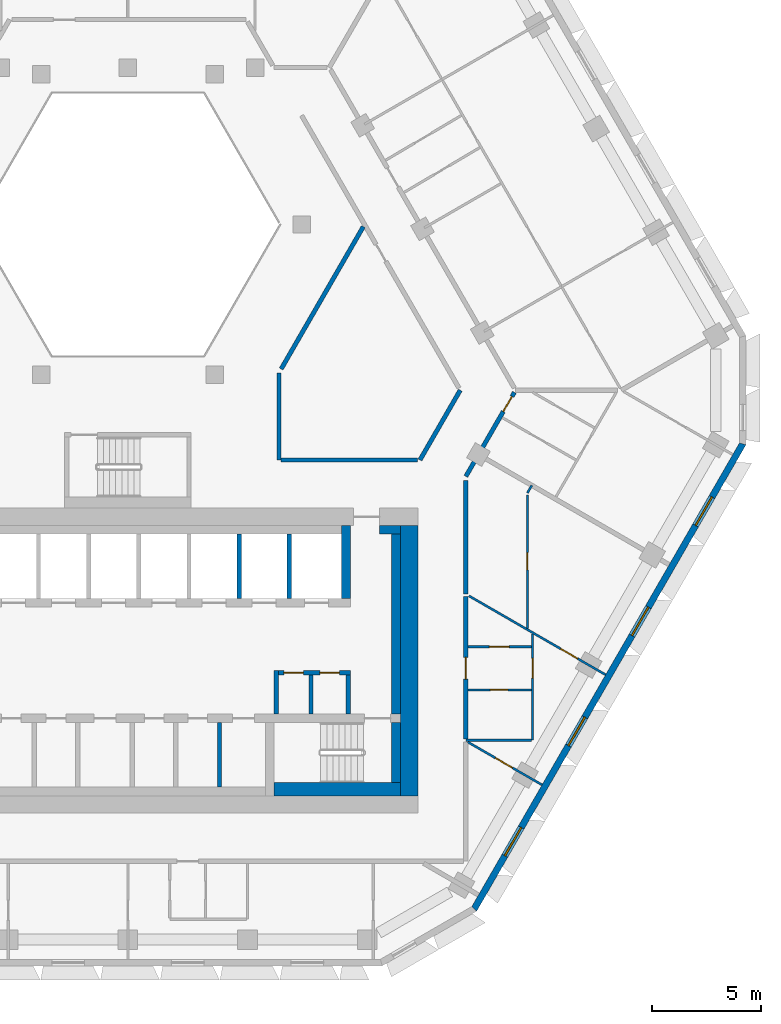
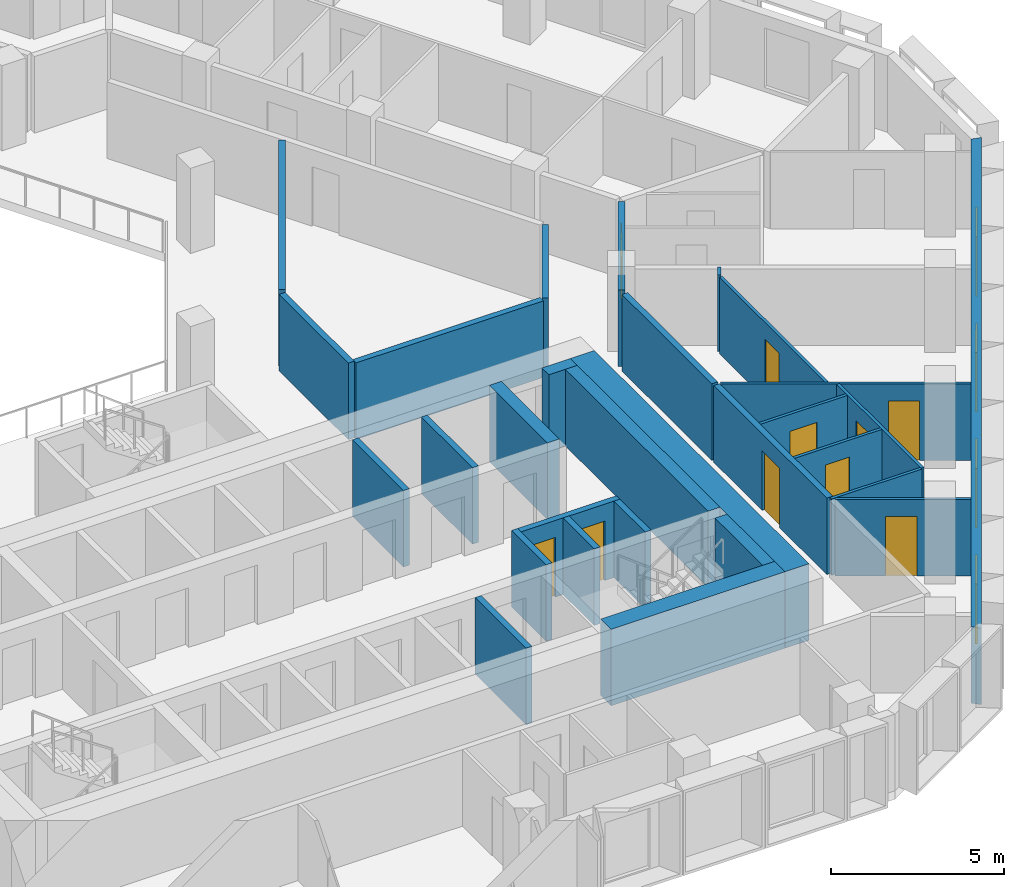
# One storey, part 6 of 15: 29 walls, 10 doors, 4 windows, 14 openings.
"""IFC4 building model written with IfcOpenShell, lengths in metres."""

from ifc_helpers import new_model, si_unit, direction, frame, frame_2d, origin, place, context, subcontext, project, spatial, polyline, rectangle, outline, extrude, material, layer, layer_set, type_object, element, fill, save


model = new_model("IFC4")

# Units and contexts
model_context = context("Model", 3, precision=1e-05, world=origin(), true_north=direction((0.0, 1.0)))
body_context = subcontext(model_context, "Body", "Model", "MODEL_VIEW")
ifc_project = project(units=[si_unit("LENGTHUNIT", "METRE"), si_unit("AREAUNIT", "SQUARE_METRE"), si_unit("VOLUMEUNIT", "CUBIC_METRE"), si_unit("PLANEANGLEUNIT", "RADIAN"), si_unit("MASSUNIT", "GRAM", prefix="KILO")], contexts=[model_context])

# Site, building, storey
site_placement = place(None, origin())
site = spatial("IfcSite", under=ifc_project, at=site_placement, CompositionType="ELEMENT")
building_placement = place(site_placement, origin())
building = spatial("IfcBuilding", under=site, at=building_placement, Name="Beryl Residences", CompositionType="ELEMENT")
storey_placement = place(building_placement, frame((0.0, 0.0, 135.60009765625)))
storey = spatial("IfcBuildingStorey", under=building, at=storey_placement, Name="L41", CompositionType="ELEMENT", Elevation=135.60009765625)

# Wall, openings, windows
ifc_material_1 = material(Name="Composite metal panel with mineral wool insulation")
ifc_layer_1 = layer(ifc_material_1, 0.300048828125)
ifc_layer_set_1 = layer_set([ifc_layer_1], Name="ES1 pale metal composite panel wall 300 mm")
wall_type_1 = type_object("IfcWallType", Name="ES1 pale metal composite panel wall 300 mm", PredefinedType="SOLIDWALL", material=ifc_layer_set_1)
wall_1_placement = place(storey_placement, frame((15.862060546875, -23.425048828125, 0.0), z_axis=(0.0, 0.0, 1.0), x_axis=(0.500017503135, 0.866015298109, 0.0)))
wall_1 = element("IfcWall", 1, at=wall_1_placement, inside=storey, type_object=wall_type_1, Name="ES1 external wall L41 SE", PredefinedType="SOLIDWALL", context=body_context, shape_type="SweptSolid", body=[
    extrude(outline(polyline([(0.0, -0.14990234375), (24.7109375, -0.14990234375), (24.630615234375, 0.14990234375), (0.080322265625, 0.14990234375), (0.0, -0.14990234375)])), origin(), (0.0, 0.0, 1.0), 2.699951171875),
])
opening_1_placement = place(wall_1_placement, frame((2.85693359375, 0.0, 0.14990234375)))
opening_1 = element("IfcOpeningElement", 2, at=opening_1_placement, cuts=wall_1, Name="Opening W1", PredefinedType="OPENING", context=body_context, shape_type="SweptSolid", body=[
    extrude(rectangle(XDim=1.5, YDim=2.10009765625, at=frame_2d((0.75, 1.050048828125))), frame((0.0, 0.159912109375, 0.0), z_axis=(0.0, -1.0, 0.0), x_axis=(1.0, 0.0, 0.0)), (0.0, 0.0, 1.0), 0.320068359375),
])
opening_2_placement = place(wall_1_placement, frame((8.68896484375, 0.0, 0.14990234375)))
opening_2 = element("IfcOpeningElement", 3, at=opening_2_placement, cuts=wall_1, Name="Opening W1", PredefinedType="OPENING", context=body_context, shape_type="SweptSolid", body=[
    extrude(rectangle(XDim=1.5, YDim=2.10009765625, at=frame_2d((0.75, 1.050048828125))), frame((0.0, 0.159912109375, 0.0), z_axis=(0.0, -1.0, 0.0), x_axis=(1.0, 0.0, 0.0)), (0.0, 0.0, 1.0), 0.320068359375),
])
opening_3_placement = place(wall_1_placement, frame((14.52001953125, 0.0, 0.14990234375)))
opening_3 = element("IfcOpeningElement", 4, at=opening_3_placement, cuts=wall_1, Name="Opening W1", PredefinedType="OPENING", context=body_context, shape_type="SweptSolid", body=[
    extrude(rectangle(XDim=1.5, YDim=2.10009765625, at=frame_2d((0.75, 1.050048828125))), frame((0.0, 0.159912109375, 0.0), z_axis=(0.0, -1.0, 0.0), x_axis=(1.0, 0.0, 0.0)), (0.0, 0.0, 1.0), 0.320068359375),
])
opening_4_placement = place(wall_1_placement, frame((20.35107421875, 0.0, 0.14990234375)))
opening_4 = element("IfcOpeningElement", 5, at=opening_4_placement, cuts=wall_1, Name="Opening W1", PredefinedType="OPENING", context=body_context, shape_type="SweptSolid", body=[
    extrude(rectangle(XDim=1.5, YDim=2.10009765625, at=frame_2d((0.75, 1.050048828125))), frame((0.0, 0.159912109375, 0.0), z_axis=(0.0, -1.0, 0.0), x_axis=(1.0, 0.0, 0.0)), (0.0, 0.0, 1.0), 0.320068359375),
])
ifc_material_2 = material(Name="Aluminium and clear glass", Category="aluminium")
window_type = type_object("IfcWindowType", Name="W1 cell window 1500 x 2100 mm", PartitioningType="SINGLE_PANEL", PredefinedType="WINDOW", material=ifc_material_2)
window_1_placement = place(opening_1_placement, origin())
window_1 = element("IfcWindow", 6, at=window_1_placement, inside=storey, type_object=window_type, Name="W1 window L41 SE 2", OverallHeight=2.10009765625, OverallWidth=1.5, PartitioningType="SINGLE_PANEL", PredefinedType="WINDOW", context=body_context, shape_type="SweptSolid", body=[
    extrude(rectangle(XDim=1.5, YDim=2.10009765625, at=frame_2d((0.75, 1.050048828125))), frame((0.0, 0.030029296875, 0.0), z_axis=(0.0, -1.0, 0.0), x_axis=(1.0, 0.0, 0.0)), (0.0, 0.0, 1.0), 0.06005859375),
])
fill(opening_1, window_1)
window_2_placement = place(opening_2_placement, origin())
window_2 = element("IfcWindow", 7, at=window_2_placement, inside=storey, type_object=window_type, Name="W1 window L41 SE 4", OverallHeight=2.10009765625, OverallWidth=1.5, PartitioningType="SINGLE_PANEL", PredefinedType="WINDOW", context=body_context, shape_type="SweptSolid", body=[
    extrude(rectangle(XDim=1.5, YDim=2.10009765625, at=frame_2d((0.75, 1.050048828125))), frame((0.0, 0.030029296875, 0.0), z_axis=(0.0, -1.0, 0.0), x_axis=(1.0, 0.0, 0.0)), (0.0, 0.0, 1.0), 0.06005859375),
])
fill(opening_2, window_2)
window_3_placement = place(opening_3_placement, origin())
window_3 = element("IfcWindow", 8, at=window_3_placement, inside=storey, type_object=window_type, Name="W1 window L41 SE 6", OverallHeight=2.10009765625, OverallWidth=1.5, PartitioningType="SINGLE_PANEL", PredefinedType="WINDOW", context=body_context, shape_type="SweptSolid", body=[
    extrude(rectangle(XDim=1.5, YDim=2.10009765625, at=frame_2d((0.75, 1.050048828125))), frame((0.0, 0.030029296875, 0.0), z_axis=(0.0, -1.0, 0.0), x_axis=(1.0, 0.0, 0.0)), (0.0, 0.0, 1.0), 0.06005859375),
])
fill(opening_3, window_3)
window_4_placement = place(opening_4_placement, origin())
window_4 = element("IfcWindow", 9, at=window_4_placement, inside=storey, type_object=window_type, Name="W1 window L41 SE 8", OverallHeight=2.10009765625, OverallWidth=1.5, PartitioningType="SINGLE_PANEL", PredefinedType="WINDOW", context=body_context, shape_type="SweptSolid", body=[
    extrude(rectangle(XDim=1.5, YDim=2.10009765625, at=frame_2d((0.75, 1.050048828125))), frame((0.0, 0.030029296875, 0.0), z_axis=(0.0, -1.0, 0.0), x_axis=(1.0, 0.0, 0.0)), (0.0, 0.0, 1.0), 0.06005859375),
])
fill(opening_4, window_4)

# Wall, opening, door
ifc_material_3 = material(Name="Gypsum board partition on steel studs", Category="steel")
ifc_layer_2 = layer(ifc_material_3, 0.10009765625)
ifc_layer_set_2 = layer_set([ifc_layer_2], Name="PT1 partition 100 mm gypsum board on steel studs")
wall_type_2 = type_object("IfcWallType", Name="PT1 partition 100 mm gypsum board on steel studs", PredefinedType="PARTITIONING", material=ifc_layer_set_2)
wall_2_placement = place(storey_placement, frame((18.324951171875, -4.408935546875, 0.0), z_axis=(0.0, 0.0, 1.0), x_axis=(0.0, -1.0, 0.0)))
wall_2 = element("IfcWall", 10, at=wall_2_placement, inside=storey, type_object=wall_type_2, Name="Wall PT1 L41 005", PredefinedType="PARTITIONING", context=body_context, shape_type="SweptSolid", body=[
    extrude(rectangle(XDim=6.114990234375, YDim=0.10009765625, at=frame_2d((3.0576171875, 0.0))), origin(), (0.0, 0.0, 1.0), 2.699951171875),
])
opening_5_placement = place(wall_2_placement, frame((2.635986328125, 0.0, 0.0)))
opening_5 = element("IfcOpeningElement", 11, at=opening_5_placement, cuts=wall_2, Name="Opening D1313", PredefinedType="OPENING", context=body_context, shape_type="SweptSolid", body=[
    extrude(rectangle(XDim=0.800048828125, YDim=2.10009765625, at=frame_2d((0.39990234375, 1.050048828125))), frame((0.0, 0.06005859375, 0.0), z_axis=(0.0, -1.0, 0.0), x_axis=(1.0, 0.0, 0.0)), (0.0, 0.0, 1.0), 0.1201171875),
])
ifc_material_4 = material(Name="Timber door leaf", Category="wood")
door_type_1 = type_object("IfcDoorType", Name="D3 bathroom door 800 x 2100 mm", OperationType="SINGLE_SWING_LEFT", PredefinedType="DOOR", material=ifc_material_4)
door_1_placement = place(opening_5_placement, origin())
door_1 = element("IfcDoor", 12, at=door_1_placement, inside=storey, type_object=door_type_1, Name="Door D1313 L41 001", OperationType="SINGLE_SWING_LEFT", OverallHeight=2.10009765625, OverallWidth=0.800048828125, PredefinedType="DOOR", context=body_context, shape_type="SweptSolid", body=[
    extrude(rectangle(XDim=0.800048828125, YDim=2.10009765625, at=frame_2d((0.39990234375, 1.050048828125))), frame((0.0, 0.02490234375, 0.0), z_axis=(0.0, -1.0, 0.0), x_axis=(1.0, 0.0, 0.0)), (0.0, 0.0, 1.0), 0.050048828125),
])
fill(opening_5, door_1)

wall_3_placement = place(storey_placement, frame((15.5869140625, -15.73388671875, 0.0), z_axis=(0.0, 0.0, 1.0), x_axis=(0.866023334807, -0.500003583557, 0.0)))
wall_3 = element("IfcWall", 13, at=wall_3_placement, inside=storey, type_object=wall_type_2, Name="Wall PT1 L41 010", PredefinedType="PARTITIONING", context=body_context, shape_type="SweptSolid", body=[
    extrude(rectangle(XDim=3.93408203125, YDim=0.10009765625, at=frame_2d((1.967041015625, 0.0))), origin(), (0.0, 0.0, 1.0), 2.699951171875),
])
opening_6_placement = place(wall_3_placement, frame((1.467041015625, 0.0, 0.0)))
opening_6 = element("IfcOpeningElement", 14, at=opening_6_placement, cuts=wall_3, Name="Opening D1311", PredefinedType="OPENING", context=body_context, shape_type="SweptSolid", body=[
    extrude(rectangle(XDim=0.89990234375, YDim=2.10009765625, at=frame_2d((0.449951171875, 1.050048828125))), frame((0.0, 0.06005859375, 0.0), z_axis=(0.0, -1.0, 0.0), x_axis=(1.0, 0.0, 0.0)), (0.0, 0.0, 1.0), 0.1201171875),
])
ifc_material_5 = material(Name="Timber door leaf", Category="wood")
door_type_2 = type_object("IfcDoorType", Name="D2 room door 900 x 2100 mm", OperationType="SINGLE_SWING_LEFT", PredefinedType="DOOR", material=ifc_material_5)
door_2_placement = place(opening_6_placement, origin())
door_2 = element("IfcDoor", 15, at=door_2_placement, inside=storey, type_object=door_type_2, Name="Door D1311 L41 001", OperationType="SINGLE_SWING_LEFT", OverallHeight=2.10009765625, OverallWidth=0.89990234375, PredefinedType="DOOR", context=body_context, shape_type="SweptSolid", body=[
    extrude(rectangle(XDim=0.89990234375, YDim=2.10009765625, at=frame_2d((0.449951171875, 1.050048828125))), frame((0.0, 0.02490234375, 0.0), z_axis=(0.0, -1.0, 0.0), x_axis=(1.0, 0.0, 0.0)), (0.0, 0.0, 1.0), 0.050048828125),
])
fill(opening_6, door_2)

wall_4_placement = place(storey_placement, frame((15.64111328125, -9.031982421875, 0.0), z_axis=(0.0, 0.0, 1.0), x_axis=(0.866049104564, -0.499958946799, 0.0)))
wall_4 = element("IfcWall", 16, at=wall_4_placement, inside=storey, type_object=wall_type_2, Name="Wall PT1 L41 014", PredefinedType="PARTITIONING", context=body_context, shape_type="SweptSolid", body=[
    extrude(rectangle(XDim=7.23828125, YDim=0.10009765625, at=frame_2d((3.619140625, 0.0))), origin(), (0.0, 0.0, 1.0), 2.699951171875),
])
opening_7_placement = place(wall_4_placement, frame((4.85400390625, 0.0, 0.0)))
opening_7 = element("IfcOpeningElement", 17, at=opening_7_placement, cuts=wall_4, Name="Opening D1312", PredefinedType="OPENING", context=body_context, shape_type="SweptSolid", body=[
    extrude(rectangle(XDim=0.89990234375, YDim=2.10009765625, at=frame_2d((0.449951171875, 1.050048828125))), frame((0.0, 0.06005859375, 0.0), z_axis=(0.0, -1.0, 0.0), x_axis=(1.0, 0.0, 0.0)), (0.0, 0.0, 1.0), 0.1201171875),
])
door_3_placement = place(opening_7_placement, origin())
door_3 = element("IfcDoor", 18, at=door_3_placement, inside=storey, type_object=door_type_2, Name="Door D1312 L41 001", OperationType="SINGLE_SWING_RIGHT", OverallHeight=2.10009765625, OverallWidth=0.89990234375, PredefinedType="DOOR", context=body_context, shape_type="SweptSolid", body=[
    extrude(rectangle(XDim=0.89990234375, YDim=2.10009765625, at=frame_2d((0.449951171875, 1.050048828125))), frame((0.0, 0.02490234375, 0.0), z_axis=(0.0, -1.0, 0.0), x_axis=(1.0, 0.0, 0.0)), (0.0, 0.0, 1.0), 0.050048828125),
])
fill(opening_7, door_3)

wall_5_placement = place(storey_placement, frame((15.60009765625, -11.362060546875, 0.0), z_axis=(0.0, 0.0, 1.0), x_axis=(1.0, 0.0, 0.0)))
wall_5 = element("IfcWall", 19, at=wall_5_placement, inside=storey, type_object=wall_type_2, Name="Wall PT1 L41 020", PredefinedType="PARTITIONING", context=body_context, shape_type="SweptSolid", body=[
    extrude(rectangle(XDim=2.909912109375, YDim=0.10009765625, at=frame_2d((1.455078125, 0.0))), origin(), (0.0, 0.0, 1.0), 2.699951171875),
])
opening_8_placement = place(wall_5_placement, frame((0.97998046875, 0.0, 0.0)))
opening_8 = element("IfcOpeningElement", 20, at=opening_8_placement, cuts=wall_5, Name="Opening D1309", PredefinedType="OPENING", context=body_context, shape_type="SweptSolid", body=[
    extrude(rectangle(XDim=0.89990234375, YDim=2.10009765625, at=frame_2d((0.449951171875, 1.050048828125))), frame((0.0, 0.06005859375, 0.0), z_axis=(0.0, -1.0, 0.0), x_axis=(1.0, 0.0, 0.0)), (0.0, 0.0, 1.0), 0.1201171875),
])
door_4_placement = place(opening_8_placement, origin())
door_4 = element("IfcDoor", 21, at=door_4_placement, inside=storey, type_object=door_type_2, Name="Door D1309 L41 001", OperationType="SINGLE_SWING_LEFT", OverallHeight=2.10009765625, OverallWidth=0.89990234375, PredefinedType="DOOR", context=body_context, shape_type="SweptSolid", body=[
    extrude(rectangle(XDim=0.89990234375, YDim=2.10009765625, at=frame_2d((0.449951171875, 1.050048828125))), frame((0.0, 0.02490234375, 0.0), z_axis=(0.0, -1.0, 0.0), x_axis=(1.0, 0.0, 0.0)), (0.0, 0.0, 1.0), 0.050048828125),
])
fill(opening_8, door_4)

wall_6_placement = place(storey_placement, frame((15.60009765625, -13.342041015625, 0.0), z_axis=(0.0, 0.0, 1.0), x_axis=(1.0, 0.0, 0.0)))
wall_6 = element("IfcWall", 22, at=wall_6_placement, inside=storey, type_object=wall_type_2, Name="Wall PT1 L41 021", PredefinedType="PARTITIONING", context=body_context, shape_type="SweptSolid", body=[
    extrude(rectangle(XDim=2.909912109375, YDim=0.10009765625, at=frame_2d((1.455078125, 0.0))), origin(), (0.0, 0.0, 1.0), 2.699951171875),
])
opening_9_placement = place(wall_6_placement, frame((1.030029296875, 0.0, 0.0)))
opening_9 = element("IfcOpeningElement", 23, at=opening_9_placement, cuts=wall_6, Name="Opening D1308", PredefinedType="OPENING", context=body_context, shape_type="SweptSolid", body=[
    extrude(rectangle(XDim=0.800048828125, YDim=2.10009765625, at=frame_2d((0.39990234375, 1.050048828125))), frame((0.0, 0.06005859375, 0.0), z_axis=(0.0, -1.0, 0.0), x_axis=(1.0, 0.0, 0.0)), (0.0, 0.0, 1.0), 0.1201171875),
])
door_5_placement = place(opening_9_placement, origin())
door_5 = element("IfcDoor", 24, at=door_5_placement, inside=storey, type_object=door_type_1, Name="Door D1308 L41 001", OperationType="SINGLE_SWING_RIGHT", OverallHeight=2.10009765625, OverallWidth=0.800048828125, PredefinedType="DOOR", context=body_context, shape_type="SweptSolid", body=[
    extrude(rectangle(XDim=0.800048828125, YDim=2.10009765625, at=frame_2d((0.39990234375, 1.050048828125))), frame((0.0, 0.02490234375, 0.0), z_axis=(0.0, -1.0, 0.0), x_axis=(1.0, 0.0, 0.0)), (0.0, 0.0, 1.0), 0.050048828125),
])
fill(opening_9, door_5)

# Walls
wall_7_placement = place(storey_placement, frame((15.5, -15.652099609375, 0.0), z_axis=(0.0, 0.0, 1.0), x_axis=(1.0, 0.0, 0.0)))
element("IfcWall", 25, at=wall_7_placement, inside=storey, type_object=wall_type_2, Name="Wall PT1 L41 022", PredefinedType="PARTITIONING", context=body_context, shape_type="SweptSolid", body=[
    extrude(rectangle(XDim=3.010009765625, YDim=0.10009765625, at=frame_2d((1.5048828125, 0.0))), origin(), (0.0, 0.0, 1.0), 2.699951171875),
])
wall_8_placement = place(storey_placement, frame((18.324951171875, -4.30908203125, 0.0), z_axis=(0.0, 0.0, 1.0), x_axis=(0.5014706583, 0.865174652232, 0.0)))
element("IfcWall", 26, at=wall_8_placement, inside=storey, type_object=wall_type_2, Name="Wall PT1 L41 028", PredefinedType="PARTITIONING", context=body_context, shape_type="SweptSolid", body=[
    extrude(rectangle(XDim=0.398681640625, YDim=0.10009765625, at=frame_2d((0.19921875, 0.0))), origin(), (0.0, 0.0, 1.0), 2.699951171875),
])

# Wall, opening, door
wall_9_placement = place(storey_placement, frame((18.56005859375, -15.652099609375, 0.0), z_axis=(0.0, 0.0, 1.0), x_axis=(0.0, 1.0, 0.0)))
wall_9 = element("IfcWall", 27, at=wall_9_placement, inside=storey, type_object=wall_type_2, Name="Wall PT1 L41 041", PredefinedType="PARTITIONING", context=body_context, shape_type="SweptSolid", body=[
    extrude(rectangle(XDim=4.877197265625, YDim=0.10009765625, at=frame_2d((2.4384765625, 0.0))), origin(), (0.0, 0.0, 1.0), 2.699951171875),
])
opening_10_placement = place(wall_9_placement, frame((2.85009765625, 0.0, 0.0)))
opening_10 = element("IfcOpeningElement", 28, at=opening_10_placement, cuts=wall_9, Name="Opening D1310", PredefinedType="OPENING", context=body_context, shape_type="SweptSolid", body=[
    extrude(rectangle(XDim=0.89990234375, YDim=2.10009765625, at=frame_2d((0.449951171875, 1.050048828125))), frame((0.0, 0.06005859375, 0.0), z_axis=(0.0, -1.0, 0.0), x_axis=(1.0, 0.0, 0.0)), (0.0, 0.0, 1.0), 0.1201171875),
])
door_6_placement = place(opening_10_placement, origin())
door_6 = element("IfcDoor", 29, at=door_6_placement, inside=storey, type_object=door_type_2, Name="Door D1310 L41 001", OperationType="SINGLE_SWING_RIGHT", OverallHeight=2.10009765625, OverallWidth=0.89990234375, PredefinedType="DOOR", context=body_context, shape_type="SweptSolid", body=[
    extrude(rectangle(XDim=0.89990234375, YDim=2.10009765625, at=frame_2d((0.449951171875, 1.050048828125))), frame((0.0, 0.02490234375, 0.0), z_axis=(0.0, -1.0, 0.0), x_axis=(1.0, 0.0, 0.0)), (0.0, 0.0, 1.0), 0.050048828125),
])
fill(opening_10, door_6)

# Wall
ifc_material_6 = material(Name="Concrete masonry", Category="masonry")
ifc_layer_3 = layer(ifc_material_6, 0.199951171875)
ifc_layer_set_3 = layer_set([ifc_layer_3], Name="PT13 lobby wall 200 mm")
wall_type_3 = type_object("IfcWallType", Name="PT13 lobby wall 200 mm", PredefinedType="PARTITIONING", material=ifc_layer_set_3)
wall_10_placement = place(storey_placement, frame((6.800048828125, -14.449951171875, 0.0), z_axis=(0.0, 0.0, 1.0), x_axis=(0.0, 1.0, 0.0)))
element("IfcWall", 30, at=wall_10_placement, inside=storey, type_object=wall_type_3, Name="Lobby wall 25", PredefinedType="PARTITIONING", context=body_context, shape_type="SweptSolid", body=[
    extrude(rectangle(XDim=2.0, YDim=0.199951171875, at=frame_2d((1.0, 0.0))), origin(), (0.0, 0.0, 1.0), 2.699951171875),
])

# Wall, openings, doors
wall_11_placement = place(storey_placement, frame((6.89990234375, -12.550048828125, 0.0), z_axis=(0.0, 0.0, 1.0), x_axis=(1.0, 0.0, 0.0)))
wall_11 = element("IfcWall", 31, at=wall_11_placement, inside=storey, type_object=wall_type_3, Name="Lobby wall 26", PredefinedType="PARTITIONING", context=body_context, shape_type="SweptSolid", body=[
    extrude(rectangle(XDim=3.300048828125, YDim=0.199951171875, at=frame_2d((1.64990234375, 0.0))), origin(), (0.0, 0.0, 1.0), 2.699951171875),
])
opening_11_placement = place(wall_11_placement, frame((1.14990234375, 0.0, 0.0), z_axis=(0.0, 0.0, 1.0), x_axis=(-1.0, 0.0, 0.0)))
opening_11 = element("IfcOpeningElement", 32, at=opening_11_placement, cuts=wall_11, Name="Opening CD-D-A1-900", PredefinedType="OPENING", context=body_context, shape_type="SweptSolid", body=[
    extrude(rectangle(XDim=0.89990234375, YDim=2.10009765625, at=frame_2d((0.449951171875, 1.050048828125))), frame((0.0, 0.10986328125, 0.0), z_axis=(0.0, -1.0, 0.0), x_axis=(1.0, 0.0, 0.0)), (0.0, 0.0, 1.0), 0.219970703125),
])
opening_12_placement = place(wall_11_placement, frame((2.7998046875, 0.0, 0.0), z_axis=(0.0, 0.0, 1.0), x_axis=(-1.0, 0.0, 0.0)))
opening_12 = element("IfcOpeningElement", 33, at=opening_12_placement, cuts=wall_11, Name="Opening CD-D-A2-900", PredefinedType="OPENING", context=body_context, shape_type="SweptSolid", body=[
    extrude(rectangle(XDim=0.89990234375, YDim=2.10009765625, at=frame_2d((0.449951171875, 1.050048828125))), frame((0.0, 0.10986328125, 0.0), z_axis=(0.0, -1.0, 0.0), x_axis=(1.0, 0.0, 0.0)), (0.0, 0.0, 1.0), 0.219970703125),
])
ifc_material_7 = material(Name="Steel door leaf in steel frame", Category="steel")
door_type_3 = type_object("IfcDoorType", Name="D6 service room door 900 x 2100 mm", OperationType="SINGLE_SWING_LEFT", PredefinedType="DOOR", material=ifc_material_7)
door_7_placement = place(opening_11_placement, origin())
door_7 = element("IfcDoor", 34, at=door_7_placement, inside=storey, type_object=door_type_3, Name="Door CD-D-A1-900 L41 001", OperationType="SINGLE_SWING_RIGHT", OverallHeight=2.10009765625, OverallWidth=0.89990234375, PredefinedType="DOOR", context=body_context, shape_type="SweptSolid", body=[
    extrude(rectangle(XDim=0.89990234375, YDim=2.10009765625, at=frame_2d((0.449951171875, 1.050048828125))), frame((0.0, 0.02490234375, 0.0), z_axis=(0.0, -1.0, 0.0), x_axis=(1.0, 0.0, 0.0)), (0.0, 0.0, 1.0), 0.050048828125),
])
fill(opening_11, door_7)
door_8_placement = place(opening_12_placement, origin())
door_8 = element("IfcDoor", 35, at=door_8_placement, inside=storey, type_object=door_type_3, Name="Door CD-D-A2-900 L41 001", OperationType="SINGLE_SWING_LEFT", OverallHeight=2.10009765625, OverallWidth=0.89990234375, PredefinedType="DOOR", context=body_context, shape_type="SweptSolid", body=[
    extrude(rectangle(XDim=0.89990234375, YDim=2.10009765625, at=frame_2d((0.449951171875, 1.050048828125))), frame((0.0, 0.02490234375, 0.0), z_axis=(0.0, -1.0, 0.0), x_axis=(1.0, 0.0, 0.0)), (0.0, 0.0, 1.0), 0.050048828125),
])
fill(opening_12, door_8)

# Walls
wall_12_placement = place(storey_placement, frame((10.10009765625, -14.449951171875, 0.0), z_axis=(0.0, 0.0, 1.0), x_axis=(0.0, 1.0, 0.0)))
element("IfcWall", 36, at=wall_12_placement, inside=storey, type_object=wall_type_3, Name="Lobby wall 29", PredefinedType="PARTITIONING", context=body_context, shape_type="SweptSolid", body=[
    extrude(rectangle(XDim=1.800048828125, YDim=0.199951171875, at=frame_2d((0.89990234375, 0.0))), origin(), (0.0, 0.0, 1.0), 2.699951171875),
])
ifc_material_8 = material(Name="Concrete masonry", Category="masonry")
ifc_layer_4 = layer(ifc_material_8, 0.39990234375)
ifc_layer_set_4 = layer_set([ifc_layer_4], Name="PT13-400 lobby wall 400 mm")
wall_type_4 = type_object("IfcWallType", Name="PT13-400 lobby wall 400 mm", PredefinedType="PARTITIONING", material=ifc_layer_set_4)
wall_13_placement = place(storey_placement, frame((11.550048828125, -6.0, 0.0), z_axis=(0.0, 0.0, 1.0), x_axis=(1.0, 0.0, 0.0)))
element("IfcWall", 37, at=wall_13_placement, inside=storey, type_object=wall_type_4, Name="Lobby wall 30", PredefinedType="PARTITIONING", context=body_context, shape_type="SweptSolid", body=[
    extrude(rectangle(XDim=0.949951171875, YDim=0.39990234375, at=frame_2d((0.47509765625, 0.0))), origin(), (0.0, 0.0, 1.0), 2.699951171875),
])
wall_14_placement = place(storey_placement, frame((12.300048828125, -14.449951171875, 0.0), z_axis=(0.0, 0.0, 1.0), x_axis=(0.0, 1.0, 0.0)))
element("IfcWall", 38, at=wall_14_placement, inside=storey, type_object=wall_type_4, Name="Lobby wall 32", PredefinedType="PARTITIONING", context=body_context, shape_type="SweptSolid", body=[
    extrude(rectangle(XDim=8.25, YDim=0.39990234375, at=frame_2d((4.125, 0.0))), origin(), (0.0, 0.0, 1.0), 2.699951171875),
])
ifc_material_9 = material(Name="Double stud gypsum board wall")
ifc_layer_5 = layer(ifc_material_9, 0.199951171875)
ifc_layer_set_5 = layer_set([ifc_layer_5], Name="PT4 corridor wall 200 mm double stud")
wall_type_5 = type_object("IfcWallType", Name="PT4 corridor wall 200 mm double stud", PredefinedType="PARTITIONING", material=ifc_layer_set_5)
wall_15_placement = place(storey_placement, frame((15.5, -3.751953125, 0.0), z_axis=(0.0, 0.0, 1.0), x_axis=(0.0, -1.0, 0.0)))
element("IfcWall", 39, at=wall_15_placement, inside=storey, type_object=wall_type_5, Name="Wall PT4 L41 008", PredefinedType="PARTITIONING", context=body_context, shape_type="SweptSolid", body=[
    extrude(rectangle(XDim=5.197998046875, YDim=0.199951171875, at=frame_2d((2.59912109375, 0.0))), origin(), (0.0, 0.0, 1.0), 2.699951171875),
])
wall_16_placement = place(storey_placement, frame((7.028076171875, -2.800048828125, 0.0), z_axis=(0.0, 0.0, 1.0), x_axis=(1.0, 0.0, 0.0)))
element("IfcWall", 40, at=wall_16_placement, inside=storey, type_object=wall_type_5, Name="Wall PT4 L41 013", PredefinedType="PARTITIONING", context=body_context, shape_type="SweptSolid", body=[
    extrude(rectangle(XDim=6.25, YDim=0.199951171875, at=frame_2d((3.125, 0.0))), origin(), (0.0, 0.0, 1.0), 2.699951171875),
])
wall_17_placement = place(storey_placement, frame((7.028076171875, 1.373046875, 0.0), z_axis=(0.0, 0.0, 1.0), x_axis=(0.499954271211, 0.866051803703, 0.0)))
element("IfcWall", 41, at=wall_17_placement, inside=storey, type_object=wall_type_5, Name="Wall PT4 L41 017", PredefinedType="PARTITIONING", context=body_context, shape_type="SweptSolid", body=[
    extrude(rectangle(XDim=7.536376953125, YDim=0.199951171875, at=frame_2d((3.76806640625, 0.0))), origin(), (0.0, 0.0, 1.0), 2.699951171875),
])
wall_18_placement = place(storey_placement, frame((13.39404296875, -2.800048828125, 0.0), z_axis=(0.0, 0.0, 1.0), x_axis=(0.499968324138, 0.866043691079, 0.0)))
element("IfcWall", 42, at=wall_18_placement, inside=storey, type_object=wall_type_5, Name="Wall PT4 L41 018", PredefinedType="PARTITIONING", context=body_context, shape_type="SweptSolid", body=[
    extrude(rectangle(XDim=3.696044921875, YDim=0.199951171875, at=frame_2d((1.84814453125, 0.0))), origin(), (0.0, 0.0, 1.0), 2.699951171875),
])

# Wall, opening, door
wall_19_placement = place(storey_placement, frame((15.5, -3.552001953125, 0.0), z_axis=(0.0, 0.0, 1.0), x_axis=(0.499928303779, 0.86606679366, 0.0)))
wall_19 = element("IfcWall", 43, at=wall_19_placement, inside=storey, type_object=wall_type_5, Name="Wall PT4 L41 019", PredefinedType="PARTITIONING", context=body_context, shape_type="SweptSolid", body=[
    extrude(rectangle(XDim=4.448974609375, YDim=0.199951171875, at=frame_2d((2.224609375, 0.0))), origin(), (0.0, 0.0, 1.0), 2.699951171875),
])
opening_13_placement = place(wall_19_placement, frame((3.431884765625, 0.0, 0.0)))
opening_13 = element("IfcOpeningElement", 44, at=opening_13_placement, cuts=wall_19, Name="Opening D1314", PredefinedType="OPENING", context=body_context, shape_type="SweptSolid", body=[
    extrude(rectangle(XDim=0.800048828125, YDim=2.10009765625, at=frame_2d((0.39990234375, 1.050048828125))), frame((0.0, 0.10986328125, 0.0), z_axis=(0.0, -1.0, 0.0), x_axis=(1.0, 0.0, 0.0)), (0.0, 0.0, 1.0), 0.219970703125),
])
ifc_material_10 = material(Name="Timber door leaf", Category="wood")
door_type_4 = type_object("IfcDoorType", Name="D12 flat entrance door 800 x 2100 mm", OperationType="SINGLE_SWING_LEFT", PredefinedType="DOOR", material=ifc_material_10)
door_9_placement = place(opening_13_placement, origin())
door_9 = element("IfcDoor", 45, at=door_9_placement, inside=storey, type_object=door_type_4, Name="Door D1314 L41 001", OperationType="SINGLE_SWING_RIGHT", OverallHeight=2.10009765625, OverallWidth=0.800048828125, PredefinedType="DOOR", context=body_context, shape_type="SweptSolid", body=[
    extrude(rectangle(XDim=0.800048828125, YDim=2.10009765625, at=frame_2d((0.39990234375, 1.050048828125))), frame((0.0, 0.02490234375, 0.0), z_axis=(0.0, -1.0, 0.0), x_axis=(1.0, 0.0, 0.0)), (0.0, 0.0, 1.0), 0.050048828125),
])
fill(opening_13, door_9)

# Wall
wall_20_placement = place(storey_placement, frame((6.927978515625, -2.800048828125, 0.0), z_axis=(0.0, 0.0, 1.0), x_axis=(0.0, 1.0, 0.0)))
element("IfcWall", 46, at=wall_20_placement, inside=storey, type_object=wall_type_5, Name="Wall PT4 L41 023", PredefinedType="PARTITIONING", context=body_context, shape_type="SweptSolid", body=[
    extrude(rectangle(XDim=4.0, YDim=0.199951171875, at=frame_2d((2.0, 0.0))), origin(), (0.0, 0.0, 1.0), 2.699951171875),
])

# Wall, opening, door
wall_21_placement = place(storey_placement, frame((15.5, -15.593994140625, 0.0), z_axis=(0.0, 0.0, 1.0), x_axis=(0.0, 1.0, 0.0)))
wall_21 = element("IfcWall", 47, at=wall_21_placement, inside=storey, type_object=wall_type_5, Name="Wall PT4 L41 025", PredefinedType="PARTITIONING", context=body_context, shape_type="SweptSolid", body=[
    extrude(rectangle(XDim=6.5419921875, YDim=0.199951171875, at=frame_2d((3.27099609375, 0.0))), origin(), (0.0, 0.0, 1.0), 2.699951171875),
])
opening_14_placement = place(wall_21_placement, frame((2.741943359375, 0.0, 0.0)))
opening_14 = element("IfcOpeningElement", 48, at=opening_14_placement, cuts=wall_21, Name="Opening D1307", PredefinedType="OPENING", context=body_context, shape_type="SweptSolid", body=[
    extrude(rectangle(XDim=1.0, YDim=2.10009765625, at=frame_2d((0.5, 1.050048828125))), frame((0.0, 0.10986328125, 0.0), z_axis=(0.0, -1.0, 0.0), x_axis=(1.0, 0.0, 0.0)), (0.0, 0.0, 1.0), 0.219970703125),
])
ifc_material_11 = material(Name="Timber door leaf", Category="wood")
door_type_5 = type_object("IfcDoorType", Name="D1 flat entrance door 1000 x 2100 mm", OperationType="SINGLE_SWING_LEFT", PredefinedType="DOOR", material=ifc_material_11)
door_10_placement = place(opening_14_placement, origin())
door_10 = element("IfcDoor", 49, at=door_10_placement, inside=storey, type_object=door_type_5, Name="Door D1307 L41 001", OperationType="SINGLE_SWING_LEFT", OverallHeight=2.10009765625, OverallWidth=1.0, PredefinedType="DOOR", context=body_context, shape_type="SweptSolid", body=[
    extrude(rectangle(XDim=1.0, YDim=2.10009765625, at=frame_2d((0.5, 1.050048828125))), frame((0.0, 0.02490234375, 0.0), z_axis=(0.0, -1.0, 0.0), x_axis=(1.0, 0.0, 0.0)), (0.0, 0.0, 1.0), 0.050048828125),
])
fill(opening_14, door_10)

# Walls
ifc_material_12 = material(Name="Concrete C40/50", Category="concrete")
ifc_layer_6 = layer(ifc_material_12, 0.39990234375)
ifc_layer_set_6 = layer_set([ifc_layer_6], Name="PT5-400 stair enclosure wall 400 mm")
wall_type_6 = type_object("IfcWallType", Name="PT5-400 stair enclosure wall 400 mm", PredefinedType="SOLIDWALL", material=ifc_layer_set_6)
wall_22_placement = place(storey_placement, frame((12.300048828125, -17.60009765625, 0.0), z_axis=(0.0, 0.0, 1.0), x_axis=(0.0, 1.0, 0.0)))
element("IfcWall", 50, at=wall_22_placement, inside=storey, type_object=wall_type_6, Name="Stair wall 31", PredefinedType="SOLIDWALL", context=body_context, shape_type="SweptSolid", body=[
    extrude(rectangle(XDim=2.75, YDim=0.39990234375, at=frame_2d((1.375, 0.0))), origin(), (0.0, 0.0, 1.0), 2.699951171875),
])
ifc_material_13 = material(Name="Concrete C40/50", Category="concrete")
ifc_layer_7 = layer(ifc_material_13, 0.60009765625)
ifc_layer_set_7 = layer_set([ifc_layer_7], Name="PT5-600 stair enclosure wall 600 mm")
wall_type_7 = type_object("IfcWallType", Name="PT5-600 stair enclosure wall 600 mm", PredefinedType="SOLIDWALL", material=ifc_layer_set_7)
wall_23_placement = place(storey_placement, frame((6.699951171875, -17.89990234375, 0.0), z_axis=(0.0, 0.0, 1.0), x_axis=(1.0, 0.0, 0.0)))
element("IfcWall", 51, at=wall_23_placement, inside=storey, type_object=wall_type_7, Name="Stair wall 24", PredefinedType="SOLIDWALL", context=body_context, shape_type="SweptSolid", body=[
    extrude(rectangle(XDim=5.800048828125, YDim=0.60009765625, at=frame_2d((2.89990234375, 0.0))), origin(), (0.0, 0.0, 1.0), 2.699951171875),
])
ifc_material_14 = material(Name="Concrete C40/50", Category="concrete")
ifc_layer_8 = layer(ifc_material_14, 0.199951171875)
ifc_layer_set_8 = layer_set([ifc_layer_8], Name="PT6 lift shaft wall 200 mm reinforced concrete C40/50")
wall_type_8 = type_object("IfcWallType", Name="PT6 lift shaft wall 200 mm reinforced concrete C40/50", PredefinedType="SOLIDWALL", material=ifc_layer_set_8)
for number, where, z_axis, x_axis, name in (
    (52, (5.10009765625, -9.14990234375, 0.0), (0.0, 0.0, 1.0), (0.0, 1.0, 0.0), "Lift shaft wall 23"),
    (53, (7.39990234375, -9.14990234375, 0.0), (0.0, 0.0, 1.0), (0.0, 1.0, 0.0), "Lift shaft wall 27"),
):
    element("IfcWall", number, at=place(storey_placement, frame(where, z_axis=z_axis, x_axis=x_axis)), inside=storey, type_object=wall_type_8, Name=name, PredefinedType="SOLIDWALL", context=body_context, shape_type="SweptSolid", body=[
        extrude(rectangle(XDim=2.949951171875, YDim=0.199951171875, at=frame_2d((1.47509765625, 0.0))), origin(), (0.0, 0.0, 1.0), 2.699951171875),
    ])
ifc_material_15 = material(Name="Concrete masonry", Category="masonry")
ifc_layer_9 = layer(ifc_material_15, 0.199951171875)
ifc_layer_set_9 = layer_set([ifc_layer_9], Name="PT8-200 service room wall 200 mm")
wall_type_9 = type_object("IfcWallType", Name="PT8-200 service room wall 200 mm", PredefinedType="PARTITIONING", material=ifc_layer_set_9)
wall_24_placement = place(storey_placement, frame((4.199951171875, -17.800048828125, 0.0), z_axis=(0.0, 0.0, 1.0), x_axis=(0.0, 1.0, 0.0)))
element("IfcWall", 54, at=wall_24_placement, inside=storey, type_object=wall_type_9, Name="Core room wall 22", PredefinedType="PARTITIONING", context=body_context, shape_type="SweptSolid", body=[
    extrude(rectangle(XDim=2.949951171875, YDim=0.199951171875, at=frame_2d((1.47509765625, 0.0))), origin(), (0.0, 0.0, 1.0), 2.699951171875),
])
wall_25_placement = place(storey_placement, frame((8.39990234375, -14.449951171875, 0.0), z_axis=(0.0, 0.0, 1.0), x_axis=(0.0, 1.0, 0.0)))
element("IfcWall", 55, at=wall_25_placement, inside=storey, type_object=wall_type_9, Name="Core room wall 28", PredefinedType="PARTITIONING", context=body_context, shape_type="SweptSolid", body=[
    extrude(rectangle(XDim=1.800048828125, YDim=0.199951171875, at=frame_2d((0.89990234375, 0.0))), origin(), (0.0, 0.0, 1.0), 2.699951171875),
])
ifc_material_16 = material(Name="Concrete C60/75", Category="concrete")
ifc_layer_10 = layer(ifc_material_16, 0.800048828125)
ifc_layer_set_10 = layer_set([ifc_layer_10], Name="SW3 core outer wall 800 mm C60/75")
wall_type_10 = type_object("IfcWallType", Name="SW3 core outer wall 800 mm C60/75", PredefinedType="SHEAR", material=ifc_layer_set_10)
wall_26_placement = place(storey_placement, frame((12.89990234375, -18.199951171875, 0.0), z_axis=(0.0, 0.0, 1.0), x_axis=(0.0, 1.0, 0.0)))
element("IfcWall", 56, at=wall_26_placement, inside=storey, type_object=wall_type_10, Name="Core wall E L41", PredefinedType="SHEAR", context=body_context, shape_type="SweptSolid", body=[
    extrude(rectangle(XDim=12.39990234375, YDim=0.800048828125, at=frame_2d((6.199951171875, 0.0))), origin(), (0.0, 0.0, 1.0), 2.699951171875),
])
ifc_material_17 = material(Name="Concrete C60/75", Category="concrete")
ifc_layer_11 = layer(ifc_material_17, 0.39990234375)
ifc_layer_set_11 = layer_set([ifc_layer_11], Name="SW8 core internal wall 400 mm C60/75")
wall_type_11 = type_object("IfcWallType", Name="SW8 core internal wall 400 mm C60/75", PredefinedType="SHEAR", material=ifc_layer_set_11)
wall_27_placement = place(storey_placement, frame((10.0, -9.14990234375, 0.0), z_axis=(0.0, 0.0, 1.0), x_axis=(0.0, 1.0, 0.0)))
element("IfcWall", 57, at=wall_27_placement, inside=storey, type_object=wall_type_11, Name="Core wall XN2 L41", PredefinedType="SHEAR", context=body_context, shape_type="SweptSolid", body=[
    extrude(rectangle(XDim=3.349853515625, YDim=0.39990234375, at=frame_2d((1.6748046875, 0.0))), origin(), (0.0, 0.0, 1.0), 2.699951171875),
])

save(model, "model.ifc")
